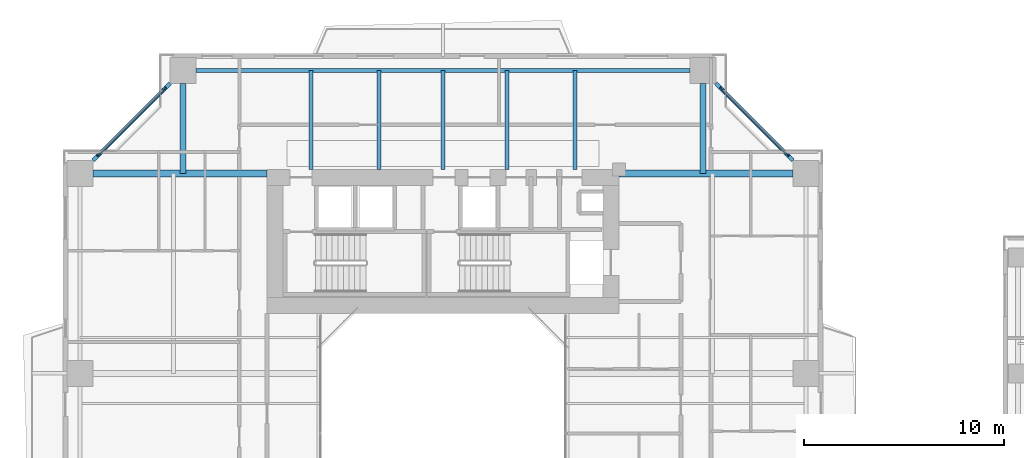
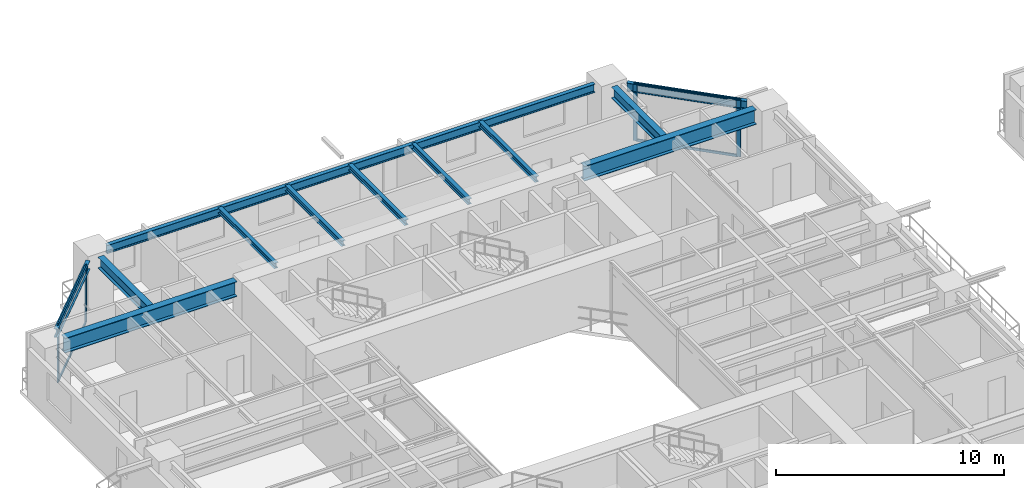
# One storey, part 8 of 22: 12 beams, 8 members, 2 elements without a shape of their own.
"""IFC4 building model written with IfcOpenShell, lengths in metres."""

from ifc_helpers import new_model, si_unit, direction, frame, origin, origin_2d, place, context, subcontext, project, spatial, rectangle, i_section, extrude, source, transform, mapped, material, layer, layer_set, material_profile, profile_set, type_object, element, aggregate, save


model = new_model("IFC4")

# Units and contexts
model_context = context("Model", 3, precision=1e-05, world=origin(), true_north=direction((0.0, 1.0)))
body_context = subcontext(model_context, "Body", "Model", "MODEL_VIEW")
ifc_project = project(units=[si_unit("LENGTHUNIT", "METRE"), si_unit("AREAUNIT", "SQUARE_METRE"), si_unit("VOLUMEUNIT", "CUBIC_METRE"), si_unit("PLANEANGLEUNIT", "RADIAN"), si_unit("MASSUNIT", "GRAM", prefix="KILO"), si_unit("THERMODYNAMICTEMPERATUREUNIT", "KELVIN"), si_unit("POWERUNIT", "WATT")], contexts=[model_context])

# Site, building, storey
site_placement = place(None, origin())
site = spatial("IfcSite", under=ifc_project, at=site_placement, CompositionType="ELEMENT")
building_placement = place(site_placement, origin())
building = spatial("IfcBuilding", under=site, at=building_placement, Name="Qiaomeng Ring Towers", CompositionType="ELEMENT")
storey_placement = place(building_placement, frame((0.0, 0.0, 53.5)))
storey = spatial("IfcBuildingStorey", under=building, at=storey_placement, Name="L14", CompositionType="ELEMENT", Elevation=53.5)

# Beams
ifc_material_1 = material(Name="Steel Q355B", Category="steel")
ifc_material_profile_1 = material_profile(ifc_material_1, i_section(OverallWidth=0.199951171875, OverallDepth=0.449951171875, WebThickness=0.009033203125, FlangeThickness=0.013916015625, FilletRadius=0.01806640625, at=origin_2d()), Name="HN 450x200x9x14")
ifc_profile_set_1 = profile_set([ifc_material_profile_1], Name="Steel Q355B")
beam_type_1 = type_object("IfcBeamType", Name="STR-BM-HN450", PredefinedType="SPANDREL", material=ifc_profile_set_1)
shared_shape_1 = source(origin(), body_context, "Body", "SweptSolid", [
    extrude(i_section(OverallWidth=0.199951171875, OverallDepth=0.449951171875, WebThickness=0.009033203125, FlangeThickness=0.013916015625, FilletRadius=0.01806640625, at=origin_2d()), origin(), (0.0, 0.0, 1.0), 24.7021484375),
])
beam_placement = place(storey_placement, frame((31.35107421875, 41.14990234375, 2.844970703125), z_axis=(-1.0, 0.0, 0.0), x_axis=(0.0, -1.0, 0.0)))
element("IfcBeam", 1, at=beam_placement, inside=storey, type_object=beam_type_1, Name="L14 beam STR-SP-L14-T1-N2-N1", PredefinedType="SPANDREL", context=body_context, shape_type="MappedRepresentation", body=[
    mapped(shared_shape_1, transform((0.0, 0.0, 0.0), x_axis=(1.0, 0.0, 0.0), y_axis=(0.0, 1.0, 0.0), z_axis=(0.0, 0.0, 1.0), scale=1.0)),
])
shared_shape_2 = source(origin(), body_context, "Body", "SweptSolid", [
    extrude(i_section(OverallWidth=0.199951171875, OverallDepth=0.449951171875, WebThickness=0.009033203125, FlangeThickness=0.013916015625, FilletRadius=0.01806640625, at=origin_2d()), origin(), (0.0, 0.0, 1.0), 5.446533203125),
])
for number, where, z_axis, x_axis, name in (
    (2, (36.500732421875, 36.6494140625, 2.844970703125), (-0.707106781187, 0.707106781187, 0.0), (-0.707106781187, -0.707106781187, 0.0), "L14 beam STR-SP-L14-T1-E4-N2"),
    (3, (5.3505859375, 40.500732421875, 2.844970703125), (-0.707106781187, -0.707106781187, 0.0), (0.707106781187, -0.707106781187, 0.0), "L14 beam STR-SP-L14-T1-N1-W4"),
):
    element("IfcBeam", number, at=place(storey_placement, frame(where, z_axis=z_axis, x_axis=x_axis)), inside=storey, type_object=beam_type_1, Name=name, PredefinedType="SPANDREL", context=body_context, shape_type="MappedRepresentation", body=[
        mapped(shared_shape_2, transform((0.0, 0.0, 0.0), x_axis=(1.0, 0.0, 0.0), y_axis=(0.0, 1.0, 0.0), z_axis=(0.0, 0.0, 1.0), scale=1.0)),
    ])
ifc_material_2 = material(Name="Steel Q390GJC", Category="steel")
ifc_material_profile_2 = material_profile(ifc_material_2, i_section(OverallWidth=0.35009765625, OverallDepth=0.800048828125, WebThickness=0.01611328125, FlangeThickness=0.028076171875, at=origin_2d()), Name="WH 800x350x16x28")
ifc_profile_set_2 = profile_set([ifc_material_profile_2], Name="Steel Q390GJC")
beam_type_2 = type_object("IfcBeamType", Name="STR-BM-WH800", PredefinedType="BEAM", material=ifc_profile_set_2)
shared_shape_3 = source(origin(), body_context, "Body", "SweptSolid", [
    extrude(i_section(OverallWidth=0.35009765625, OverallDepth=0.800048828125, WebThickness=0.01611328125, FlangeThickness=0.028076171875, at=origin_2d()), origin(), (0.0, 0.0, 1.0), 8.700927734375),
])
for number, where, z_axis, x_axis, name in (
    (4, (1.4990234375, 36.0, 2.669921875), (1.0, 0.0, 0.0), (0.0, 1.0, 0.0), "L14 beam STR-BM-L14-T1-RAD-W4"),
    (5, (27.800048828125, 36.0, 2.669921875), (1.0, 0.0, 0.0), (0.0, 1.0, 0.0), "L14 beam STR-BM-L14-T1-RAD-E4"),
):
    element("IfcBeam", number, at=place(storey_placement, frame(where, z_axis=z_axis, x_axis=x_axis)), inside=storey, type_object=beam_type_2, Name=name, PredefinedType="BEAM", context=body_context, shape_type="MappedRepresentation", body=[
        mapped(shared_shape_3, transform((0.0, 0.0, 0.0), x_axis=(1.0, 0.0, 0.0), y_axis=(0.0, 1.0, 0.0), z_axis=(0.0, 0.0, 1.0), scale=1.0)),
    ])
ifc_material_profile_3 = material_profile(ifc_material_1, i_section(OverallWidth=0.300048828125, OverallDepth=0.587890625, WebThickness=0.011962890625, FlangeThickness=0.02001953125, FilletRadius=0.028076171875, at=origin_2d()), Name="HM 588x300x12x20")
ifc_profile_set_3 = profile_set([ifc_material_profile_3], Name="Steel Q355B")
beam_type_3 = type_object("IfcBeamType", Name="STR-BM-HM588", PredefinedType="BEAM", material=ifc_profile_set_3)
shared_shape_4 = source(origin(), body_context, "Body", "SweptSolid", [
    extrude(i_section(OverallWidth=0.300048828125, OverallDepth=0.587890625, WebThickness=0.011962890625, FlangeThickness=0.02001953125, FilletRadius=0.028076171875, at=origin_2d()), origin(), (0.0, 0.0, 1.0), 4.5009765625),
])
for number, where, z_axis, x_axis, name in (
    (6, (6.0, 40.5009765625, 2.77587890625), (0.0, -1.0, 0.0), (1.0, 0.0, 0.0), "L14 beam STR-BM-L14-T1-RAD-N1"),
    (7, (32.0, 40.5009765625, 2.77587890625), (0.0, -1.0, 0.0), (1.0, 0.0, 0.0), "L14 beam STR-BM-L14-T1-RAD-N2"),
):
    element("IfcBeam", number, at=place(storey_placement, frame(where, z_axis=z_axis, x_axis=x_axis)), inside=storey, type_object=beam_type_3, Name=name, PredefinedType="BEAM", context=body_context, shape_type="MappedRepresentation", body=[
        mapped(shared_shape_4, transform((0.0, 0.0, 0.0), x_axis=(1.0, 0.0, 0.0), y_axis=(0.0, 1.0, 0.0), z_axis=(0.0, 0.0, 1.0), scale=1.0)),
    ])
ifc_material_profile_4 = material_profile(ifc_material_1, i_section(OverallWidth=0.199951171875, OverallDepth=0.2939453125, WebThickness=0.008056640625, FlangeThickness=0.011962890625, FilletRadius=0.01806640625, at=origin_2d()), Name="HM 294x200x8x12")
ifc_profile_set_4 = profile_set([ifc_material_profile_4], Name="Steel Q355B")
beam_type_4 = type_object("IfcBeamType", Name="STR-BM-HM294", PredefinedType="JOIST", material=ifc_profile_set_4)
shared_shape_5 = source(origin(), body_context, "Body", "SweptSolid", [
    extrude(i_section(OverallWidth=0.199951171875, OverallDepth=0.2939453125, WebThickness=0.008056640625, FlangeThickness=0.011962890625, FilletRadius=0.01806640625, at=origin_2d()), origin(), (0.0, 0.0, 1.0), 4.949951171875),
])
for number, where, z_axis, x_axis, name in (
    (8, (12.39990234375, 36.199951171875, 2.923095703125), (0.0, 1.0, 0.0), (-1.0, 0.0, 0.0), "L14 beam STR-JST-L14-T1N-1"),
    (9, (15.800048828125, 36.199951171875, 2.923095703125), (0.0, 1.0, 0.0), (-1.0, 0.0, 0.0), "L14 beam STR-JST-L14-T1N-2"),
    (10, (19.0, 36.199951171875, 2.923095703125), (0.0, 1.0, 0.0), (-1.0, 0.0, 0.0), "L14 beam STR-JST-L14-T1N-3"),
    (11, (22.199951171875, 36.199951171875, 2.923095703125), (0.0, 1.0, 0.0), (-1.0, 0.0, 0.0), "L14 beam STR-JST-L14-T1N-4"),
    (12, (25.60009765625, 36.199951171875, 2.923095703125), (0.0, 1.0, 0.0), (-1.0, 0.0, 0.0), "L14 beam STR-JST-L14-T1N-5"),
):
    element("IfcBeam", number, at=place(storey_placement, frame(where, z_axis=z_axis, x_axis=x_axis)), inside=storey, type_object=beam_type_4, Name=name, PredefinedType="JOIST", context=body_context, shape_type="MappedRepresentation", body=[
        mapped(shared_shape_5, transform((0.0, 0.0, 0.0), x_axis=(1.0, 0.0, 0.0), y_axis=(0.0, 1.0, 0.0), z_axis=(0.0, 0.0, 1.0), scale=1.0)),
    ])

# Curtain wall, members
ifc_material_3 = material(Name="Fluorocarbon dark-grey aluminium", Category="aluminium")
ifc_layer = layer(ifc_material_3, 0.159912109375, Name="Fluorocarbon dark-grey aluminium")
ifc_layer_set = layer_set([ifc_layer], Name="Fluorocarbon dark-grey aluminium")
curtain_wall_type = type_object("IfcCurtainWallType", Name="ARC-CW-2", PredefinedType="NOTDEFINED", material=ifc_layer_set)
curtain_wall_1_placement = place(storey_placement, origin())
curtain_wall_1 = element("IfcCurtainWall", 13, at=curtain_wall_1_placement, inside=storey, type_object=curtain_wall_type, Name="L14 Curtain Wall CW2", PredefinedType="NOTDEFINED")
ifc_material_profile_5 = material_profile(ifc_material_3, rectangle(XDim=0.070068359375, YDim=0.179931640625, at=origin_2d()), Name="ALU MULL 70x180")
ifc_profile_set_5 = profile_set([ifc_material_profile_5], Name="Fluorocarbon dark-grey aluminium")
member_type_1 = type_object("IfcMemberType", Name="ARC-CWM-160", PredefinedType="MULLION", material=ifc_profile_set_5)
shared_shape_6 = source(origin(), body_context, "Body", "SweptSolid", [
    extrude(rectangle(XDim=0.070068359375, YDim=0.179931640625, at=origin_2d()), origin(), (0.0, 0.0, 1.0), 3.070068359375),
])
member_1_placement = place(storey_placement, frame((36.2353515625, 36.914794921875, 0.0), z_axis=(0.0, 0.0, 1.0), x_axis=(-0.707106781187, -0.707106781187, 0.0)))
member_1 = element("IfcMember", 14, at=member_1_placement, type_object=member_type_1, Name="CW2 mullion 1", PredefinedType="MULLION", context=body_context, shape_type="MappedRepresentation", body=[
    mapped(shared_shape_6, transform((0.0, 0.0, 0.0), x_axis=(1.0, 0.0, 0.0), y_axis=(0.0, 1.0, 0.0), z_axis=(0.0, 0.0, 1.0), scale=1.0)),
])
member_2_placement = place(storey_placement, frame((32.914794921875, 40.2353515625, 0.0), z_axis=(0.0, 0.0, 1.0), x_axis=(-0.707106781187, -0.707106781187, 0.0)))
member_2 = element("IfcMember", 15, at=member_2_placement, type_object=member_type_1, Name="CW2 mullion 2", PredefinedType="MULLION", context=body_context, shape_type="MappedRepresentation", body=[
    mapped(shared_shape_6, transform((0.0, 0.0, 0.0), x_axis=(1.0, 0.0, 0.0), y_axis=(0.0, 1.0, 0.0), z_axis=(0.0, 0.0, 1.0), scale=1.0)),
])

curtain_wall_2_placement = place(storey_placement, origin())
curtain_wall_2 = element("IfcCurtainWall", 16, at=curtain_wall_2_placement, inside=storey, type_object=curtain_wall_type, Name="L14 Curtain Wall CW2", PredefinedType="NOTDEFINED")
member_3_placement = place(storey_placement, frame((5.085205078125, 40.2353515625, 0.0), z_axis=(0.0, 0.0, 1.0), x_axis=(0.707106781187, -0.707106781187, 0.0)))
member_3 = element("IfcMember", 17, at=member_3_placement, type_object=member_type_1, Name="CW2 mullion 1", PredefinedType="MULLION", context=body_context, shape_type="MappedRepresentation", body=[
    mapped(shared_shape_6, transform((0.0, 0.0, 0.0), x_axis=(1.0, 0.0, 0.0), y_axis=(0.0, 1.0, 0.0), z_axis=(0.0, 0.0, 1.0), scale=1.0)),
])
member_4_placement = place(storey_placement, frame((1.7646484375, 36.914794921875, 0.0), z_axis=(0.0, 0.0, 1.0), x_axis=(0.707106781187, -0.707106781187, 0.0)))
member_4 = element("IfcMember", 18, at=member_4_placement, type_object=member_type_1, Name="CW2 mullion 2", PredefinedType="MULLION", context=body_context, shape_type="MappedRepresentation", body=[
    mapped(shared_shape_6, transform((0.0, 0.0, 0.0), x_axis=(1.0, 0.0, 0.0), y_axis=(0.0, 1.0, 0.0), z_axis=(0.0, 0.0, 1.0), scale=1.0)),
])

# Member
ifc_material_profile_6 = material_profile(ifc_material_3, rectangle(XDim=0.06494140625, YDim=0.1298828125, at=origin_2d()), Name="ALU TRAN 65x130")
ifc_profile_set_6 = profile_set([ifc_material_profile_6], Name="Fluorocarbon dark-grey aluminium")
member_type_2 = type_object("IfcMemberType", Name="ARC-CWT-120", PredefinedType="USERDEFINED", material=ifc_profile_set_6)
shared_shape_7 = source(origin(), body_context, "Body", "SweptSolid", [
    extrude(rectangle(XDim=0.06494140625, YDim=0.1298828125, at=origin_2d()), origin(), (0.0, 0.0, 1.0), 4.6259765625),
])
member_5_placement = place(storey_placement, frame((36.21044921875, 36.939453125, 0.032470703125), z_axis=(-0.707106781187, 0.707106781187, 0.0), x_axis=(-0.707106781187, -0.707106781187, 0.0)))
member_5 = element("IfcMember", 19, at=member_5_placement, type_object=member_type_2, Name="CW2 transom 1.1", ObjectType="TRANSOM", PredefinedType="USERDEFINED", context=body_context, shape_type="MappedRepresentation", body=[
    mapped(shared_shape_7, transform((0.0, 0.0, 0.0), x_axis=(1.0, 0.0, 0.0), y_axis=(0.0, 1.0, 0.0), z_axis=(0.0, 0.0, 1.0), scale=1.0)),
])

member_6_placement = place(storey_placement, frame((36.21044921875, 36.939453125, 3.03759765625), z_axis=(-0.707106781187, 0.707106781187, 0.0), x_axis=(-0.707106781187, -0.707106781187, 0.0)))
member_6 = element("IfcMember", 20, at=member_6_placement, type_object=member_type_2, Name="CW2 transom 1.2", ObjectType="TRANSOM", PredefinedType="USERDEFINED", context=body_context, shape_type="MappedRepresentation", body=[
    mapped(shared_shape_7, transform((0.0, 0.0, 0.0), x_axis=(1.0, 0.0, 0.0), y_axis=(0.0, 1.0, 0.0), z_axis=(0.0, 0.0, 1.0), scale=1.0)),
])

aggregate(curtain_wall_1, [member_1, member_2, member_5, member_6])

member_7_placement = place(storey_placement, frame((5.060546875, 40.21044921875, 0.032470703125), z_axis=(-0.707106781187, -0.707106781187, 0.0), x_axis=(0.707106781187, -0.707106781187, 0.0)))
member_7 = element("IfcMember", 21, at=member_7_placement, type_object=member_type_2, Name="CW2 transom 1.1", ObjectType="TRANSOM", PredefinedType="USERDEFINED", context=body_context, shape_type="MappedRepresentation", body=[
    mapped(shared_shape_7, transform((0.0, 0.0, 0.0), x_axis=(1.0, 0.0, 0.0), y_axis=(0.0, 1.0, 0.0), z_axis=(0.0, 0.0, 1.0), scale=1.0)),
])

member_8_placement = place(storey_placement, frame((5.060546875, 40.21044921875, 3.03759765625), z_axis=(-0.707106781187, -0.707106781187, 0.0), x_axis=(0.707106781187, -0.707106781187, 0.0)))
member_8 = element("IfcMember", 22, at=member_8_placement, type_object=member_type_2, Name="CW2 transom 1.2", ObjectType="TRANSOM", PredefinedType="USERDEFINED", context=body_context, shape_type="MappedRepresentation", body=[
    mapped(shared_shape_7, transform((0.0, 0.0, 0.0), x_axis=(1.0, 0.0, 0.0), y_axis=(0.0, 1.0, 0.0), z_axis=(0.0, 0.0, 1.0), scale=1.0)),
])

aggregate(curtain_wall_2, [member_3, member_4, member_7, member_8])

save(model, "model.ifc")
